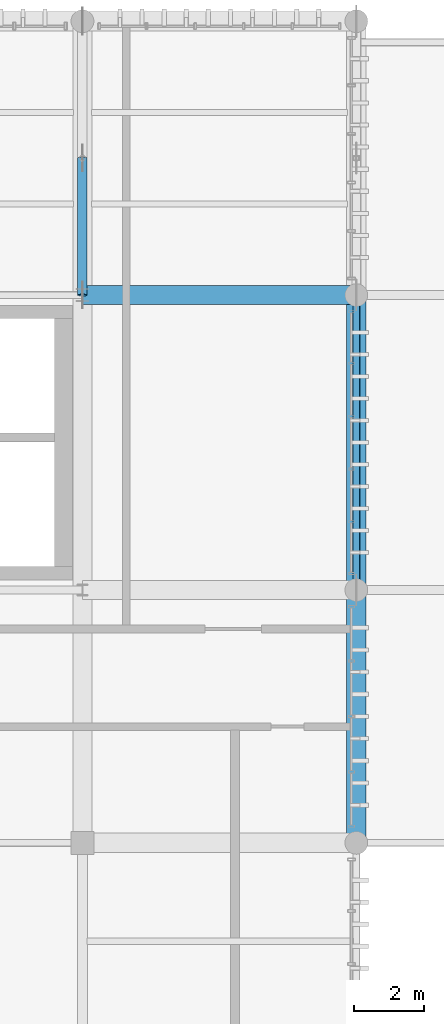
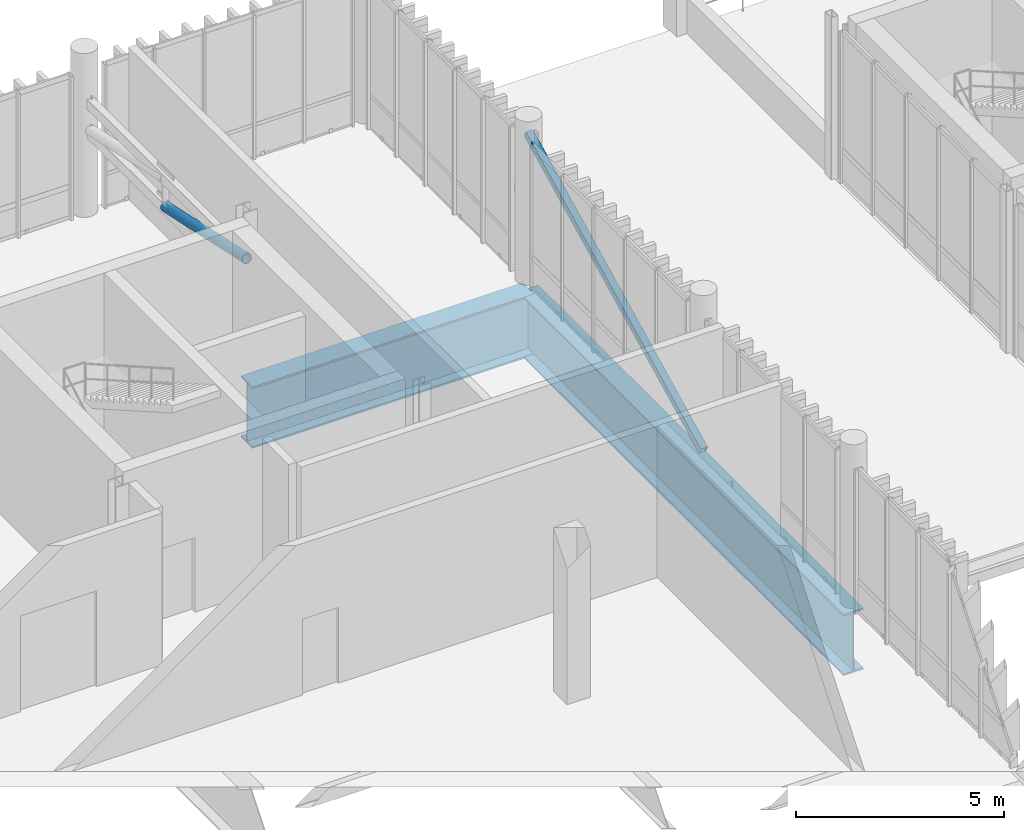
# One storey, part 26 of 81: 2 beams, 2 members.
"""IFC4 building model written with IfcOpenShell, lengths in metres."""

from ifc_helpers import new_model, si_unit, direction, frame, origin_with_axes, origin_2d_with_axis, place, context, subcontext, project, spatial, hollow_rectangle, hollow_circle, i_section, extrude, material, material_profile, profile_set, type_object, element, save


model = new_model("IFC4")

# Units and contexts
model_context = context("Model", 3, precision=1e-05, world=origin_with_axes(), true_north=direction((0.0, 1.0)))
body_context = subcontext(model_context, "Body", "Model", "MODEL_VIEW")
ifc_project = project(units=[si_unit("LENGTHUNIT", "METRE"), si_unit("AREAUNIT", "SQUARE_METRE"), si_unit("VOLUMEUNIT", "CUBIC_METRE"), si_unit("PLANEANGLEUNIT", "RADIAN"), si_unit("MASSUNIT", "GRAM", prefix="KILO"), si_unit("THERMODYNAMICTEMPERATUREUNIT", "KELVIN")], contexts=[model_context])

# Site, building, storey
site_placement = place(None, origin_with_axes())
site = spatial("IfcSite", under=ifc_project, at=site_placement, CompositionType="ELEMENT")
building_placement = place(site_placement, origin_with_axes())
building = spatial("IfcBuilding", under=site, at=building_placement, Name="Montbau Bow Law Courts", CompositionType="ELEMENT")
storey_placement = place(building_placement, frame((0.0, 0.0, 24.9), z_axis=(0.0, 0.0, 1.0), x_axis=(1.0, 0.0, 0.0)))
storey = spatial("IfcBuildingStorey", under=building, at=storey_placement, Name="L05", CompositionType="ELEMENT", Elevation=24.9)

# Beams
ifc_material_1 = material(Name="Steel CSA G40.21 Grade 350WT (350 MPa)", Category="steel")
ifc_material_profile_1 = material_profile(ifc_material_1, i_section(OverallWidth=0.55, OverallDepth=1.8, WebThickness=0.022, FlangeThickness=0.05, at=origin_2d_with_axis()), Name="WWF1800X550", Category="Main", Priority=0)
ifc_profile_set_1 = profile_set([ifc_material_profile_1], Name="Steel CSA G40.21 Grade 350WT (350 MPa)")
beam_type = type_object("IfcBeamType", Name="B-TRG-01", PredefinedType="USERDEFINED", material=ifc_profile_set_1)
beam_1_placement = place(None, frame((46.8, 39.0, 23.7), z_axis=(0.0, 1.0, 0.0), x_axis=(-1.0, 0.0, 0.0)))
element("IfcBeam", 1, at=beam_1_placement, inside=storey, type_object=beam_type, Name="TRG-L05-S0041:bm2_0044", ObjectType="GIRDER", PredefinedType="USERDEFINED", context=body_context, shape_type="SweptSolid", body=[
    extrude(i_section(OverallWidth=0.55, OverallDepth=1.8, WebThickness=0.022, FlangeThickness=0.05, at=origin_2d_with_axis()), origin_with_axes(), (0.0, 0.0, 1.0), 15.6),
])
beam_2_placement = place(None, frame((39.0, 54.6, 23.7), z_axis=(1.0, 0.0, 0.0), x_axis=(0.0, 1.0, 0.0)))
element("IfcBeam", 2, at=beam_2_placement, inside=storey, type_object=beam_type, Name="TRG-L05-S0058:bm2_0061", ObjectType="GIRDER", PredefinedType="USERDEFINED", context=body_context, shape_type="SweptSolid", body=[
    extrude(i_section(OverallWidth=0.55, OverallDepth=1.8, WebThickness=0.022, FlangeThickness=0.05, at=origin_2d_with_axis()), origin_with_axes(), (0.0, 0.0, 1.0), 7.8),
])

# Members
ifc_material_2 = material(Name="Steel CSA G40.21 Grade 350W (350 MPa)", Category="steel")
ifc_material_profile_2 = material_profile(ifc_material_2, hollow_rectangle(XDim=0.203, YDim=0.203, WallThickness=0.0111, InnerFilletRadius=0.0222, OuterFilletRadius=0.0111, at=origin_2d_with_axis()), Name="HSS203X203X11", Category="Main", Priority=0)
ifc_profile_set_2 = profile_set([ifc_material_profile_2], Name="Steel CSA G40.21 Grade 350W (350 MPa)")
member_type_1 = type_object("IfcMemberType", Name="M-BRC-02", PredefinedType="BRACE", material=ifc_profile_set_2)
member_1_placement = place(None, frame((46.8, 46.2, 24.95), z_axis=(0.0, 0.894128949, 0.447809582), x_axis=(-1.0, 0.0, 0.0)))
element("IfcMember", 3, at=member_1_placement, inside=storey, type_object=member_type_1, Name="Diagonal brace CBF-L05-048A", PredefinedType="BRACE", context=body_context, shape_type="SweptSolid", body=[
    extrude(hollow_rectangle(XDim=0.203, YDim=0.203, WallThickness=0.0111, InnerFilletRadius=0.0222, OuterFilletRadius=0.0111, at=origin_2d_with_axis()), origin_with_axes(), (0.0, 0.0, 1.0), 9.394618),
])
ifc_material_profile_3 = material_profile(ifc_material_2, hollow_circle(Radius=0.1365, WallThickness=0.0127, at=origin_2d_with_axis()), Name="HSS273X13", Category="Main", Priority=0)
ifc_profile_set_3 = profile_set([ifc_material_profile_3], Name="Steel CSA G40.21 Grade 350W (350 MPa)")
member_type_2 = type_object("IfcMemberType", Name="M-BRC-03", PredefinedType="BRACE", material=ifc_profile_set_3)
member_2_placement = place(None, frame((39.0, 54.6, 28.2), z_axis=(0.0, 0.977581781, -0.210556076), x_axis=(-1.0, 0.0, 0.0)))
element("IfcMember", 4, at=member_2_placement, inside=storey, type_object=member_type_2, Name="Diagonal brace BRC-L05-009", PredefinedType="BRACE", context=body_context, shape_type="SweptSolid", body=[
    extrude(hollow_circle(Radius=0.1365, WallThickness=0.0127, at=origin_2d_with_axis()), origin_with_axes(), (0.0, 0.0, 1.0), 3.989436),
])

save(model, "model.ifc")
